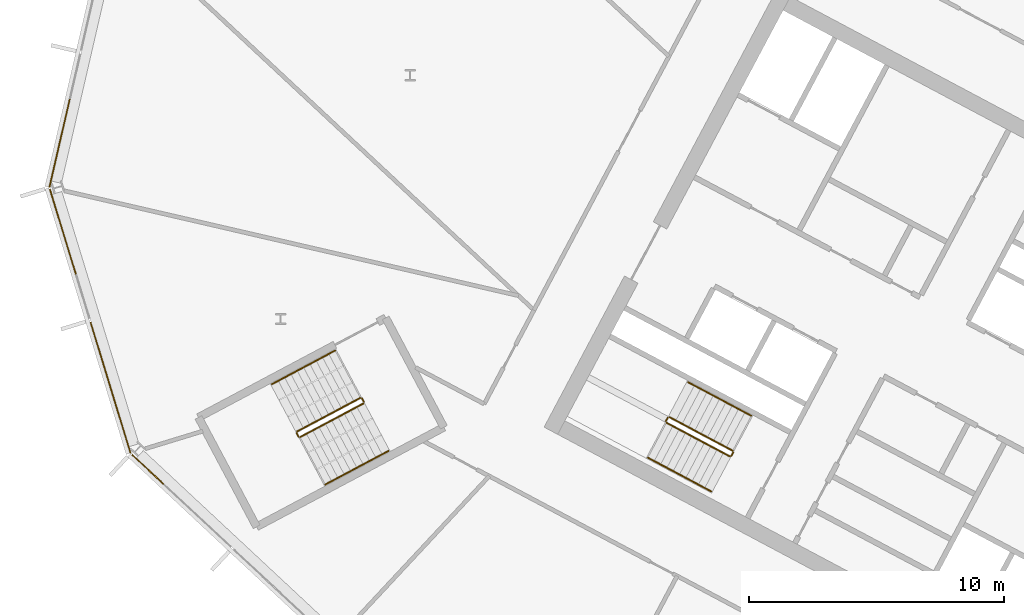
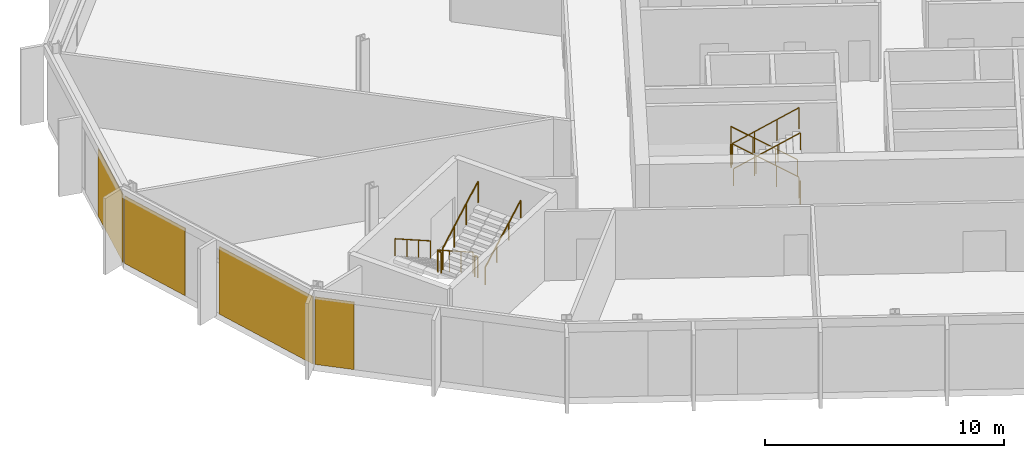
# One storey, part 20 of 26: 12 railings, 4 coverings, 3 elements without a shape of their own.
"""IFC4 building model written with IfcOpenShell, lengths in metres."""

from ifc_helpers import new_model, si_unit, direction, frame, origin, origin_2d, place, context, subcontext, project, spatial, polyline, rectangle, outline, extrude, material, layer, layer_set, type_object, element, aggregate, save


model = new_model("IFC4")

# Units and contexts
model_context = context("Model", 3, precision=1e-05, world=origin(), true_north=direction((0.0, 1.0)))
body_context = subcontext(model_context, "Body", "Model", "MODEL_VIEW")
ifc_project = project(units=[si_unit("LENGTHUNIT", "METRE"), si_unit("AREAUNIT", "SQUARE_METRE"), si_unit("VOLUMEUNIT", "CUBIC_METRE"), si_unit("PLANEANGLEUNIT", "RADIAN"), si_unit("MASSUNIT", "GRAM", prefix="KILO")], contexts=[model_context])

# Site, building, storey
site_placement = place(None, origin())
site = spatial("IfcSite", under=ifc_project, at=site_placement, CompositionType="ELEMENT")
building_placement = place(site_placement, origin())
building = spatial("IfcBuilding", under=site, at=building_placement, Name="Cormorant Relay Tower", CompositionType="ELEMENT")
storey_placement = place(building_placement, frame((0.0, 0.0, 236.39990234375)))
storey = spatial("IfcBuildingStorey", under=building, at=storey_placement, Name="L52", CompositionType="ELEMENT", Elevation=236.39990234375)

# Curtain wall, covering
ifc_material_1 = material(Name="Aluminium 6063-T6 anodised bronze", Category="aluminium")
ifc_layer_1 = layer(ifc_material_1, 0.199951171875)
ifc_layer_set_1 = layer_set([ifc_layer_1], Name="CW1 unitised bronze curtain wall with vertical fins")
curtain_wall_type = type_object("IfcCurtainWallType", Name="CW1 unitised bronze curtain wall with vertical fins", PredefinedType="NOTDEFINED", material=ifc_layer_set_1)
curtain_wall_1_placement = place(storey_placement, origin())
curtain_wall_1 = element("IfcCurtainWall", 1, at=curtain_wall_1_placement, inside=storey, type_object=curtain_wall_type, Name="CW1 curtain wall 13", PredefinedType="NOTDEFINED")
ifc_material_2 = material(Name="Pale bronze anodised aluminium insulated panel", Category="aluminium")
ifc_layer_2 = layer(ifc_material_2, 0.0400390625)
ifc_layer_set_2 = layer_set([ifc_layer_2], Name="CW1 pale bronze insulated panel 40")
covering_type = type_object("IfcCoveringType", Name="CW1 pale bronze insulated panel 40", PredefinedType="CLADDING", material=ifc_layer_set_2)
covering_1_placement = place(storey_placement, frame((-60.3388671875, 22.13232421875, 0.0), z_axis=(0.0, 0.0, 1.0), x_axis=(-0.224951054344, -0.974370064785, 0.0)))
covering_1 = element("IfcCovering", 2, at=covering_1_placement, type_object=covering_type, Name="CW1 panel S02", PredefinedType="CLADDING", context=body_context, shape_type="SweptSolid", body=[
    extrude(rectangle(XDim=3.560302734375, YDim=0.0400390625, at=origin_2d()), origin(), (0.0, 0.0, 1.0), 3.449951171875),
])
aggregate(curtain_wall_1, [covering_1])

# Curtain wall, coverings
curtain_wall_2_placement = place(storey_placement, origin())
curtain_wall_2 = element("IfcCurtainWall", 3, at=curtain_wall_2_placement, inside=storey, type_object=curtain_wall_type, Name="CW1 curtain wall 14", PredefinedType="NOTDEFINED")
covering_2_placement = place(storey_placement, frame((-60.20751953125, 18.6494140625, 0.0), z_axis=(0.0, 0.0, 1.0), x_axis=(0.292371704723, -0.956304755963, 0.0)))
covering_2 = element("IfcCovering", 4, at=covering_2_placement, type_object=covering_type, Name="CW1 panel S00", PredefinedType="CLADDING", context=body_context, shape_type="SweptSolid", body=[
    extrude(rectangle(XDim=3.485107421875, YDim=0.0400390625, at=origin_2d()), origin(), (0.0, 0.0, 1.0), 3.449951171875),
])
covering_3_placement = place(storey_placement, frame((-58.344482421875, 12.55517578125, 0.0), z_axis=(0.0, 0.0, 1.0), x_axis=(0.292371704723, -0.956304755963, 0.0)))
covering_3 = element("IfcCovering", 5, at=covering_3_placement, type_object=covering_type, Name="CW1 panel S02", PredefinedType="CLADDING", context=body_context, shape_type="SweptSolid", body=[
    extrude(rectangle(XDim=5.360107421875, YDim=0.0400390625, at=origin_2d()), origin(), (0.0, 0.0, 1.0), 3.449951171875),
])
aggregate(curtain_wall_2, [covering_2, covering_3])

# Curtain wall, covering
curtain_wall_3_placement = place(storey_placement, origin())
curtain_wall_3 = element("IfcCurtainWall", 6, at=curtain_wall_3_placement, inside=storey, type_object=curtain_wall_type, Name="CW1 curtain wall 15", PredefinedType="NOTDEFINED")
covering_4_placement = place(storey_placement, frame((-56.88427734375, 9.357421875, 0.0), z_axis=(0.0, 0.0, 1.0), x_axis=(0.731353701619, -0.681998360062, 0.0)))
covering_4 = element("IfcCovering", 7, at=covering_4_placement, type_object=covering_type, Name="CW1 panel S00", PredefinedType="CLADDING", context=body_context, shape_type="SweptSolid", body=[
    extrude(rectangle(XDim=1.685302734375, YDim=0.0400390625, at=origin_2d()), origin(), (0.0, 0.0, 1.0), 3.449951171875),
])
aggregate(curtain_wall_3, [covering_4])

# Railings
ifc_material_3 = material(Name="Steel ASTM A572 Grade 50 (Fy 345 MPa)", Category="steel")
railing_type_1 = type_object("IfcRailingType", Name="Stair guard 1100", PredefinedType="GUARDRAIL", material=ifc_material_3)
railing_1_placement = place(storey_placement, frame((-33.9921875, 10.08935546875, 0.177490234375)))
element("IfcRailing", 8, at=railing_1_placement, inside=storey, type_object=railing_type_1, Name="L52 A2 stair guard 1", PredefinedType="GUARDRAIL", context=body_context, shape_type="SweptSolid", body=[
    extrude(outline(polyline([(0.022216796875, 0.00927734375), (0.00927734375, 0.022216796875), (-0.00927734375, 0.022216796875), (-0.022216796875, 0.00927734375), (-0.022216796875, -0.00927734375), (-0.00927734375, -0.022216796875), (0.00927734375, -0.022216796875), (0.022216796875, -0.00927734375), (0.022216796875, 0.00927734375)])), frame((0.0, 0.0, 1.076171875), z_axis=(-0.746001213114, 0.396649272309, 0.534931345884), x_axis=(-0.469465464807, -0.882950835185, 0.0)), (0.0, 0.0, 1.0), 3.31396484375),
    extrude(outline(polyline([(0.019287109375, 0.008056640625), (0.008056640625, 0.019287109375), (-0.008056640625, 0.019287109375), (-0.019287109375, 0.008056640625), (-0.019287109375, -0.008056640625), (-0.008056640625, -0.019287109375), (0.008056640625, -0.019287109375), (0.019287109375, -0.008056640625), (0.019287109375, 0.008056640625)])), origin(), (0.0, 0.0, 1.0), 1.052001953125),
    extrude(outline(polyline([(0.019287109375, 0.008056640625), (0.008056640625, 0.019287109375), (-0.008056640625, 0.019287109375), (-0.019287109375, 0.008056640625), (-0.019287109375, -0.008056640625), (-0.008056640625, -0.019287109375), (0.008056640625, -0.019287109375), (0.019287109375, -0.008056640625), (0.019287109375, 0.008056640625)])), frame((-0.823974609375, 0.438232421875, 0.5908203125)), (0.0, 0.0, 1.0), 1.052001953125),
    extrude(outline(polyline([(0.019287109375, 0.008056640625), (0.008056640625, 0.019287109375), (-0.008056640625, 0.019287109375), (-0.019287109375, 0.008056640625), (-0.019287109375, -0.008056640625), (-0.008056640625, -0.019287109375), (0.008056640625, -0.019287109375), (0.019287109375, -0.008056640625), (0.019287109375, 0.008056640625)])), frame((-1.648193359375, 0.876220703125, 1.181884765625)), (0.0, 0.0, 1.0), 1.052001953125),
    extrude(outline(polyline([(0.019287109375, 0.008056640625), (0.008056640625, 0.019287109375), (-0.008056640625, 0.019287109375), (-0.019287109375, 0.008056640625), (-0.019287109375, -0.008056640625), (-0.008056640625, -0.019287109375), (0.008056640625, -0.019287109375), (0.019287109375, -0.008056640625), (0.019287109375, 0.008056640625)])), frame((-2.47216796875, 1.314453125, 1.772705078125)), (0.0, 0.0, 1.0), 1.052001953125),
])
railing_2_placement = place(storey_placement, frame((-36.531982421875, 11.38330078125, 1.9501953125)))
element("IfcRailing", 9, at=railing_2_placement, inside=storey, type_object=railing_type_1, Name="L52 A2 stair guard 2", PredefinedType="GUARDRAIL", context=body_context, shape_type="SweptSolid", body=[
    extrude(outline(polyline([(0.022216796875, 0.00927734375), (0.00927734375, 0.022216796875), (-0.00927734375, 0.022216796875), (-0.022216796875, 0.00927734375), (-0.022216796875, -0.00927734375), (-0.00927734375, -0.022216796875), (0.00927734375, -0.022216796875), (0.022216796875, -0.00927734375), (0.022216796875, 0.00927734375)])), frame((0.0, 0.0, 1.076171875), z_axis=(-0.469828648786, -0.882757634224, 0.0), x_axis=(0.882757634224, -0.469828648786, 0.0)), (0.0, 0.0, 1.0), 0.150146484375),
    extrude(outline(polyline([(0.019287109375, 0.008056640625), (0.008056640625, 0.019287109375), (-0.008056640625, 0.019287109375), (-0.019287109375, 0.008056640625), (-0.019287109375, -0.008056640625), (-0.008056640625, -0.019287109375), (0.008056640625, -0.019287109375), (0.019287109375, -0.008056640625), (0.019287109375, 0.008056640625)])), origin(), (0.0, 0.0, 1.0), 1.052001953125),
    extrude(outline(polyline([(0.019287109375, 0.008056640625), (0.008056640625, 0.019287109375), (-0.008056640625, 0.019287109375), (-0.019287109375, 0.008056640625), (-0.019287109375, -0.008056640625), (-0.008056640625, -0.019287109375), (0.008056640625, -0.019287109375), (0.019287109375, -0.008056640625), (0.019287109375, 0.008056640625)])), frame((-0.070556640625, -0.132568359375, 0.0)), (0.0, 0.0, 1.0), 1.052001953125),
])
railing_3_placement = place(storey_placement, frame((-36.581787109375, 11.18310546875, 2.12744140625)))
element("IfcRailing", 10, at=railing_3_placement, inside=storey, type_object=railing_type_1, Name="L52 A2 stair guard 3", PredefinedType="GUARDRAIL", context=body_context, shape_type="SweptSolid", body=[
    extrude(outline(polyline([(0.022216796875, 0.00927734375), (0.00927734375, 0.022216796875), (-0.00927734375, 0.022216796875), (-0.022216796875, 0.00927734375), (-0.022216796875, -0.00927734375), (-0.00927734375, -0.022216796875), (0.00927734375, -0.022216796875), (0.022216796875, -0.00927734375), (0.022216796875, 0.00927734375)])), frame((0.0, 0.0, 1.076171875), z_axis=(0.746001213114, -0.396649272309, 0.534931345884), x_axis=(0.469465464807, 0.882950835185, 0.0)), (0.0, 0.0, 1.0), 3.31396484375),
    extrude(outline(polyline([(0.019287109375, 0.008056640625), (0.008056640625, 0.019287109375), (-0.008056640625, 0.019287109375), (-0.019287109375, 0.008056640625), (-0.019287109375, -0.008056640625), (-0.008056640625, -0.019287109375), (0.008056640625, -0.019287109375), (0.019287109375, -0.008056640625), (0.019287109375, 0.008056640625)])), origin(), (0.0, 0.0, 1.0), 1.052001953125),
    extrude(outline(polyline([(0.019287109375, 0.008056640625), (0.008056640625, 0.019287109375), (-0.008056640625, 0.019287109375), (-0.019287109375, 0.008056640625), (-0.019287109375, -0.008056640625), (-0.008056640625, -0.019287109375), (0.008056640625, -0.019287109375), (0.019287109375, -0.008056640625), (0.019287109375, 0.008056640625)])), frame((0.823974609375, -0.438232421875, 0.5908203125)), (0.0, 0.0, 1.0), 1.052001953125),
    extrude(outline(polyline([(0.019287109375, 0.008056640625), (0.008056640625, 0.019287109375), (-0.008056640625, 0.019287109375), (-0.019287109375, 0.008056640625), (-0.019287109375, -0.008056640625), (-0.008056640625, -0.019287109375), (0.008056640625, -0.019287109375), (0.019287109375, -0.008056640625), (0.019287109375, 0.008056640625)])), frame((1.648193359375, -0.876220703125, 1.181884765625)), (0.0, 0.0, 1.0), 1.052001953125),
    extrude(outline(polyline([(0.019287109375, 0.008056640625), (0.008056640625, 0.019287109375), (-0.008056640625, 0.019287109375), (-0.019287109375, 0.008056640625), (-0.019287109375, -0.008056640625), (-0.008056640625, -0.019287109375), (0.008056640625, -0.019287109375), (0.019287109375, -0.008056640625), (0.019287109375, 0.008056640625)])), frame((2.47216796875, -1.314453125, 1.772705078125)), (0.0, 0.0, 1.0), 1.052001953125),
])
railing_4_placement = place(storey_placement, frame((-33.971435546875, 10.021728515625, 0.0)))
element("IfcRailing", 11, at=railing_4_placement, inside=storey, type_object=railing_type_1, Name="L52 A2 stair guard 4", PredefinedType="GUARDRAIL", context=body_context, shape_type="SweptSolid", body=[
    extrude(outline(polyline([(0.022216796875, 0.00927734375), (0.00927734375, 0.022216796875), (-0.00927734375, 0.022216796875), (-0.022216796875, 0.00927734375), (-0.022216796875, -0.00927734375), (-0.00927734375, -0.022216796875), (0.00927734375, -0.022216796875), (0.022216796875, -0.00927734375), (0.022216796875, 0.00927734375)])), frame((0.0, 0.0, 1.076171875), z_axis=(-0.470503732759, -0.882398003998, 0.0), x_axis=(0.882398003998, -0.470503732759, 0.0)), (0.0, 0.0, 1.0), 0.14990234375),
    extrude(outline(polyline([(0.019287109375, 0.008056640625), (0.008056640625, 0.019287109375), (-0.008056640625, 0.019287109375), (-0.019287109375, 0.008056640625), (-0.019287109375, -0.008056640625), (-0.008056640625, -0.019287109375), (0.008056640625, -0.019287109375), (0.019287109375, -0.008056640625), (0.019287109375, 0.008056640625)])), origin(), (0.0, 0.0, 1.0), 1.052001953125),
    extrude(outline(polyline([(0.019287109375, 0.008056640625), (0.008056640625, 0.019287109375), (-0.008056640625, 0.019287109375), (-0.019287109375, 0.008056640625), (-0.019287109375, -0.008056640625), (-0.008056640625, -0.019287109375), (0.008056640625, -0.019287109375), (0.019287109375, -0.008056640625), (0.019287109375, 0.008056640625)])), frame((-0.070556640625, -0.13232421875, 0.0)), (0.0, 0.0, 1.0), 1.052001953125),
])
railing_5_placement = place(storey_placement, frame((-48.5693359375, 12.155517578125, 0.177490234375)))
element("IfcRailing", 12, at=railing_5_placement, inside=storey, type_object=railing_type_1, Name="L52 RP1 stair guard 1", PredefinedType="GUARDRAIL", context=body_context, shape_type="SweptSolid", body=[
    extrude(outline(polyline([(0.022216796875, 0.00927734375), (0.00927734375, 0.022216796875), (-0.00927734375, 0.022216796875), (-0.022216796875, 0.00927734375), (-0.022216796875, -0.00927734375), (-0.00927734375, -0.022216796875), (0.00927734375, -0.022216796875), (0.022216796875, -0.00927734375), (0.022216796875, 0.00927734375)])), frame((0.0, 0.0, 1.076171875), z_axis=(-0.746012083385, -0.396689549623, 0.534886317514), x_axis=(0.469497295046, -0.882933910293, 0.0)), (0.0, 0.0, 1.0), 3.314208984375),
    extrude(outline(polyline([(0.019287109375, 0.008056640625), (0.008056640625, 0.019287109375), (-0.008056640625, 0.019287109375), (-0.019287109375, 0.008056640625), (-0.019287109375, -0.008056640625), (-0.008056640625, -0.019287109375), (0.008056640625, -0.019287109375), (0.019287109375, -0.008056640625), (0.019287109375, 0.008056640625)])), origin(), (0.0, 0.0, 1.0), 1.052001953125),
    extrude(outline(polyline([(0.019287109375, 0.008056640625), (0.008056640625, 0.019287109375), (-0.008056640625, 0.019287109375), (-0.019287109375, 0.008056640625), (-0.019287109375, -0.008056640625), (-0.008056640625, -0.019287109375), (0.008056640625, -0.019287109375), (0.019287109375, -0.008056640625), (0.019287109375, 0.008056640625)])), frame((-0.82421875, -0.438232421875, 0.5908203125)), (0.0, 0.0, 1.0), 1.052001953125),
    extrude(outline(polyline([(0.019287109375, 0.008056640625), (0.008056640625, 0.019287109375), (-0.008056640625, 0.019287109375), (-0.019287109375, 0.008056640625), (-0.019287109375, -0.008056640625), (-0.008056640625, -0.019287109375), (0.008056640625, -0.019287109375), (0.019287109375, -0.008056640625), (0.019287109375, 0.008056640625)])), frame((-1.648193359375, -0.87646484375, 1.181884765625)), (0.0, 0.0, 1.0), 1.052001953125),
    extrude(outline(polyline([(0.019287109375, 0.008056640625), (0.008056640625, 0.019287109375), (-0.008056640625, 0.019287109375), (-0.019287109375, 0.008056640625), (-0.019287109375, -0.008056640625), (-0.008056640625, -0.019287109375), (0.008056640625, -0.019287109375), (0.019287109375, -0.008056640625), (0.019287109375, 0.008056640625)])), frame((-2.472412109375, -1.314697265625, 1.772705078125)), (0.0, 0.0, 1.0), 1.052001953125),
])
railing_6_placement = place(storey_placement, frame((-51.062255859375, 10.773193359375, 1.9501953125)))
element("IfcRailing", 13, at=railing_6_placement, inside=storey, type_object=railing_type_1, Name="L52 RP1 stair guard 2", PredefinedType="GUARDRAIL", context=body_context, shape_type="SweptSolid", body=[
    extrude(outline(polyline([(0.022216796875, 0.00927734375), (0.00927734375, 0.022216796875), (-0.00927734375, 0.022216796875), (-0.022216796875, 0.00927734375), (-0.022216796875, -0.00927734375), (-0.00927734375, -0.022216796875), (0.00927734375, -0.022216796875), (0.022216796875, -0.00927734375), (0.022216796875, 0.00927734375)])), frame((0.0, 0.0, 1.076171875), z_axis=(0.469234640946, -0.883073525669, 0.0), x_axis=(0.883073525669, 0.469234640946, 0.0)), (0.0, 0.0, 1.0), 0.14990234375),
    extrude(outline(polyline([(0.019287109375, 0.008056640625), (0.008056640625, 0.019287109375), (-0.008056640625, 0.019287109375), (-0.019287109375, 0.008056640625), (-0.019287109375, -0.008056640625), (-0.008056640625, -0.019287109375), (0.008056640625, -0.019287109375), (0.019287109375, -0.008056640625), (0.019287109375, 0.008056640625)])), origin(), (0.0, 0.0, 1.0), 1.052001953125),
    extrude(outline(polyline([(0.019287109375, 0.008056640625), (0.008056640625, 0.019287109375), (-0.008056640625, 0.019287109375), (-0.019287109375, 0.008056640625), (-0.019287109375, -0.008056640625), (-0.008056640625, -0.019287109375), (0.008056640625, -0.019287109375), (0.019287109375, -0.008056640625), (0.019287109375, 0.008056640625)])), frame((0.0703125, -0.13232421875, 0.0)), (0.0, 0.0, 1.0), 1.052001953125),
])
railing_7_placement = place(storey_placement, frame((-50.92431640625, 10.6201171875, 2.12744140625)))
element("IfcRailing", 14, at=railing_7_placement, inside=storey, type_object=railing_type_1, Name="L52 RP1 stair guard 3", PredefinedType="GUARDRAIL", context=body_context, shape_type="SweptSolid", body=[
    extrude(outline(polyline([(0.022216796875, 0.00927734375), (0.00927734375, 0.022216796875), (-0.00927734375, 0.022216796875), (-0.022216796875, 0.00927734375), (-0.022216796875, -0.00927734375), (-0.00927734375, -0.022216796875), (0.00927734375, -0.022216796875), (0.022216796875, -0.00927734375), (0.022216796875, 0.00927734375)])), frame((0.0, 0.0, 1.076171875), z_axis=(0.746033882577, 0.396627473466, 0.534901947407), x_axis=(-0.469429322983, 0.882970050864, 0.0)), (0.0, 0.0, 1.0), 3.31396484375),
    extrude(outline(polyline([(0.019287109375, 0.008056640625), (0.008056640625, 0.019287109375), (-0.008056640625, 0.019287109375), (-0.019287109375, 0.008056640625), (-0.019287109375, -0.008056640625), (-0.008056640625, -0.019287109375), (0.008056640625, -0.019287109375), (0.019287109375, -0.008056640625), (0.019287109375, 0.008056640625)])), origin(), (0.0, 0.0, 1.0), 1.052001953125),
    extrude(outline(polyline([(0.019287109375, 0.008056640625), (0.008056640625, 0.019287109375), (-0.008056640625, 0.019287109375), (-0.019287109375, 0.008056640625), (-0.019287109375, -0.008056640625), (-0.008056640625, -0.019287109375), (0.008056640625, -0.019287109375), (0.019287109375, -0.008056640625), (0.019287109375, 0.008056640625)])), frame((0.82421875, 0.438232421875, 0.5908203125)), (0.0, 0.0, 1.0), 1.052001953125),
    extrude(outline(polyline([(0.019287109375, 0.008056640625), (0.008056640625, 0.019287109375), (-0.008056640625, 0.019287109375), (-0.019287109375, 0.008056640625), (-0.019287109375, -0.008056640625), (-0.008056640625, -0.019287109375), (0.008056640625, -0.019287109375), (0.019287109375, -0.008056640625), (0.019287109375, 0.008056640625)])), frame((1.648193359375, 0.876220703125, 1.181884765625)), (0.0, 0.0, 1.0), 1.052001953125),
    extrude(outline(polyline([(0.019287109375, 0.008056640625), (0.008056640625, 0.019287109375), (-0.008056640625, 0.019287109375), (-0.019287109375, 0.008056640625), (-0.019287109375, -0.008056640625), (-0.008056640625, -0.019287109375), (0.008056640625, -0.019287109375), (0.019287109375, -0.008056640625), (0.019287109375, 0.008056640625)])), frame((2.472412109375, 1.314453125, 1.772705078125)), (0.0, 0.0, 1.0), 1.052001953125),
])
railing_8_placement = place(storey_placement, frame((-48.501708984375, 12.134765625, 0.0)))
element("IfcRailing", 15, at=railing_8_placement, inside=storey, type_object=railing_type_1, Name="L52 RP1 stair guard 4", PredefinedType="GUARDRAIL", context=body_context, shape_type="SweptSolid", body=[
    extrude(outline(polyline([(0.022216796875, 0.00927734375), (0.00927734375, 0.022216796875), (-0.00927734375, 0.022216796875), (-0.022216796875, 0.00927734375), (-0.022216796875, -0.00927734375), (-0.00927734375, -0.022216796875), (0.00927734375, -0.022216796875), (0.022216796875, -0.00927734375), (0.022216796875, 0.00927734375)])), frame((0.0, 0.0, 1.076171875), z_axis=(0.46856034887, -0.8834314911, 0.0), x_axis=(0.8834314911, 0.46856034887, 0.0)), (0.0, 0.0, 1.0), 0.150146484375),
    extrude(outline(polyline([(0.019287109375, 0.008056640625), (0.008056640625, 0.019287109375), (-0.008056640625, 0.019287109375), (-0.019287109375, 0.008056640625), (-0.019287109375, -0.008056640625), (-0.008056640625, -0.019287109375), (0.008056640625, -0.019287109375), (0.019287109375, -0.008056640625), (0.019287109375, 0.008056640625)])), origin(), (0.0, 0.0, 1.0), 1.052001953125),
    extrude(outline(polyline([(0.019287109375, 0.008056640625), (0.008056640625, 0.019287109375), (-0.008056640625, 0.019287109375), (-0.019287109375, 0.008056640625), (-0.019287109375, -0.008056640625), (-0.008056640625, -0.019287109375), (0.008056640625, -0.019287109375), (0.019287109375, -0.008056640625), (0.019287109375, 0.008056640625)])), frame((0.0703125, -0.132568359375, 0.0)), (0.0, 0.0, 1.0), 1.052001953125),
])
ifc_material_4 = material(Name="Steel ASTM A572 Grade 50 (Fy 345 MPa)", Category="steel")
railing_type_2 = type_object("IfcRailingType", Name="Stair handrail 900", PredefinedType="HANDRAIL", material=ifc_material_4)
railing_9_placement = place(storey_placement, frame((-33.264404296875, 11.4580078125, 0.177490234375)))
element("IfcRailing", 16, at=railing_9_placement, inside=storey, type_object=railing_type_2, Name="L52 A2 stair handrail 1", PredefinedType="HANDRAIL", context=body_context, shape_type="SweptSolid", body=[
    extrude(outline(polyline([(0.022216796875, 0.00927734375), (0.00927734375, 0.022216796875), (-0.00927734375, 0.022216796875), (-0.022216796875, 0.00927734375), (-0.022216796875, -0.00927734375), (-0.00927734375, -0.022216796875), (0.00927734375, -0.022216796875), (0.022216796875, -0.00927734375), (0.022216796875, 0.00927734375)])), frame((0.0, 0.0, 0.8759765625), z_axis=(-0.746033882577, 0.396627473466, 0.534901947407), x_axis=(-0.469429322983, -0.882970050864, 0.0)), (0.0, 0.0, 1.0), 3.31396484375),
    extrude(outline(polyline([(0.019287109375, 0.008056640625), (0.008056640625, 0.019287109375), (-0.008056640625, 0.019287109375), (-0.019287109375, 0.008056640625), (-0.019287109375, -0.008056640625), (-0.008056640625, -0.019287109375), (0.008056640625, -0.019287109375), (0.019287109375, -0.008056640625), (0.019287109375, 0.008056640625)])), origin(), (0.0, 0.0, 1.0), 0.851806640625),
    extrude(outline(polyline([(0.019287109375, 0.008056640625), (0.008056640625, 0.019287109375), (-0.008056640625, 0.019287109375), (-0.019287109375, 0.008056640625), (-0.019287109375, -0.008056640625), (-0.008056640625, -0.019287109375), (0.008056640625, -0.019287109375), (0.019287109375, -0.008056640625), (0.019287109375, 0.008056640625)])), frame((-0.82421875, 0.438232421875, 0.5908203125)), (0.0, 0.0, 1.0), 0.851806640625),
    extrude(outline(polyline([(0.019287109375, 0.008056640625), (0.008056640625, 0.019287109375), (-0.008056640625, 0.019287109375), (-0.019287109375, 0.008056640625), (-0.019287109375, -0.008056640625), (-0.008056640625, -0.019287109375), (0.008056640625, -0.019287109375), (0.019287109375, -0.008056640625), (0.019287109375, 0.008056640625)])), frame((-1.648193359375, 0.876220703125, 1.181884765625)), (0.0, 0.0, 1.0), 0.851806640625),
    extrude(outline(polyline([(0.019287109375, 0.008056640625), (0.008056640625, 0.019287109375), (-0.008056640625, 0.019287109375), (-0.019287109375, 0.008056640625), (-0.019287109375, -0.008056640625), (-0.008056640625, -0.019287109375), (0.008056640625, -0.019287109375), (0.019287109375, -0.008056640625), (0.019287109375, 0.008056640625)])), frame((-2.472412109375, 1.314453125, 1.772705078125)), (0.0, 0.0, 1.0), 0.851806640625),
])
railing_10_placement = place(storey_placement, frame((-37.3095703125, 9.814453125, 2.12744140625)))
element("IfcRailing", 17, at=railing_10_placement, inside=storey, type_object=railing_type_2, Name="L52 A2 stair handrail 2", PredefinedType="HANDRAIL", context=body_context, shape_type="SweptSolid", body=[
    extrude(outline(polyline([(0.022216796875, 0.00927734375), (0.00927734375, 0.022216796875), (-0.00927734375, 0.022216796875), (-0.022216796875, 0.00927734375), (-0.022216796875, -0.00927734375), (-0.00927734375, -0.022216796875), (0.00927734375, -0.022216796875), (0.022216796875, -0.00927734375), (0.022216796875, 0.00927734375)])), frame((0.0, 0.0, 0.8759765625), z_axis=(0.746033882577, -0.396627473466, 0.534901947407), x_axis=(0.469429322983, 0.882970050864, 0.0)), (0.0, 0.0, 1.0), 3.31396484375),
    extrude(outline(polyline([(0.019287109375, 0.008056640625), (0.008056640625, 0.019287109375), (-0.008056640625, 0.019287109375), (-0.019287109375, 0.008056640625), (-0.019287109375, -0.008056640625), (-0.008056640625, -0.019287109375), (0.008056640625, -0.019287109375), (0.019287109375, -0.008056640625), (0.019287109375, 0.008056640625)])), origin(), (0.0, 0.0, 1.0), 0.851806640625),
    extrude(outline(polyline([(0.019287109375, 0.008056640625), (0.008056640625, 0.019287109375), (-0.008056640625, 0.019287109375), (-0.019287109375, 0.008056640625), (-0.019287109375, -0.008056640625), (-0.008056640625, -0.019287109375), (0.008056640625, -0.019287109375), (0.019287109375, -0.008056640625), (0.019287109375, 0.008056640625)])), frame((0.82421875, -0.438232421875, 0.5908203125)), (0.0, 0.0, 1.0), 0.851806640625),
    extrude(outline(polyline([(0.019287109375, 0.008056640625), (0.008056640625, 0.019287109375), (-0.008056640625, 0.019287109375), (-0.019287109375, 0.008056640625), (-0.019287109375, -0.008056640625), (-0.008056640625, -0.019287109375), (0.008056640625, -0.019287109375), (0.019287109375, -0.008056640625), (0.019287109375, 0.008056640625)])), frame((1.648193359375, -0.876220703125, 1.181884765625)), (0.0, 0.0, 1.0), 0.851806640625),
    extrude(outline(polyline([(0.019287109375, 0.008056640625), (0.008056640625, 0.019287109375), (-0.008056640625, 0.019287109375), (-0.019287109375, 0.008056640625), (-0.019287109375, -0.008056640625), (-0.008056640625, -0.019287109375), (0.008056640625, -0.019287109375), (0.019287109375, -0.008056640625), (0.019287109375, 0.008056640625)])), frame((2.472412109375, -1.314453125, 1.772705078125)), (0.0, 0.0, 1.0), 0.851806640625),
])
railing_11_placement = place(storey_placement, frame((-49.55517578125, 14.009521484375, 0.177490234375)))
element("IfcRailing", 18, at=railing_11_placement, inside=storey, type_object=railing_type_2, Name="L52 RP1 stair handrail 1", PredefinedType="HANDRAIL", context=body_context, shape_type="SweptSolid", body=[
    extrude(outline(polyline([(0.022216796875, 0.00927734375), (0.00927734375, 0.022216796875), (-0.00927734375, 0.022216796875), (-0.022216796875, 0.00927734375), (-0.022216796875, -0.00927734375), (-0.00927734375, -0.022216796875), (0.00927734375, -0.022216796875), (0.022216796875, -0.00927734375), (0.022216796875, 0.00927734375)])), frame((0.0, 0.0, 0.8759765625), z_axis=(-0.746033882577, -0.396627473466, 0.534901947407), x_axis=(0.469429322983, -0.882970050864, 0.0)), (0.0, 0.0, 1.0), 3.31396484375),
    extrude(outline(polyline([(0.019287109375, 0.008056640625), (0.008056640625, 0.019287109375), (-0.008056640625, 0.019287109375), (-0.019287109375, 0.008056640625), (-0.019287109375, -0.008056640625), (-0.008056640625, -0.019287109375), (0.008056640625, -0.019287109375), (0.019287109375, -0.008056640625), (0.019287109375, 0.008056640625)])), origin(), (0.0, 0.0, 1.0), 0.851806640625),
    extrude(outline(polyline([(0.019287109375, 0.008056640625), (0.008056640625, 0.019287109375), (-0.008056640625, 0.019287109375), (-0.019287109375, 0.008056640625), (-0.019287109375, -0.008056640625), (-0.008056640625, -0.019287109375), (0.008056640625, -0.019287109375), (0.019287109375, -0.008056640625), (0.019287109375, 0.008056640625)])), frame((-0.82421875, -0.438232421875, 0.5908203125)), (0.0, 0.0, 1.0), 0.851806640625),
    extrude(outline(polyline([(0.019287109375, 0.008056640625), (0.008056640625, 0.019287109375), (-0.008056640625, 0.019287109375), (-0.019287109375, 0.008056640625), (-0.019287109375, -0.008056640625), (-0.008056640625, -0.019287109375), (0.008056640625, -0.019287109375), (0.019287109375, -0.008056640625), (0.019287109375, 0.008056640625)])), frame((-1.648193359375, -0.876220703125, 1.181884765625)), (0.0, 0.0, 1.0), 0.851806640625),
    extrude(outline(polyline([(0.019287109375, 0.008056640625), (0.008056640625, 0.019287109375), (-0.008056640625, 0.019287109375), (-0.019287109375, 0.008056640625), (-0.019287109375, -0.008056640625), (-0.008056640625, -0.019287109375), (0.008056640625, -0.019287109375), (0.019287109375, -0.008056640625), (0.019287109375, 0.008056640625)])), frame((-2.472412109375, -1.314453125, 1.772705078125)), (0.0, 0.0, 1.0), 0.851806640625),
])
railing_12_placement = place(storey_placement, frame((-49.9384765625, 8.765869140625, 2.12744140625)))
element("IfcRailing", 19, at=railing_12_placement, inside=storey, type_object=railing_type_2, Name="L52 RP1 stair handrail 2", PredefinedType="HANDRAIL", context=body_context, shape_type="SweptSolid", body=[
    extrude(outline(polyline([(0.022216796875, 0.00927734375), (0.00927734375, 0.022216796875), (-0.00927734375, 0.022216796875), (-0.022216796875, 0.00927734375), (-0.022216796875, -0.00927734375), (-0.00927734375, -0.022216796875), (0.00927734375, -0.022216796875), (0.022216796875, -0.00927734375), (0.022216796875, 0.00927734375)])), frame((0.0, 0.0, 0.8759765625), z_axis=(0.746012083385, 0.396689549623, 0.534886317514), x_axis=(-0.469497295046, 0.882933910293, 0.0)), (0.0, 0.0, 1.0), 3.314208984375),
    extrude(outline(polyline([(0.019287109375, 0.008056640625), (0.008056640625, 0.019287109375), (-0.008056640625, 0.019287109375), (-0.019287109375, 0.008056640625), (-0.019287109375, -0.008056640625), (-0.008056640625, -0.019287109375), (0.008056640625, -0.019287109375), (0.019287109375, -0.008056640625), (0.019287109375, 0.008056640625)])), origin(), (0.0, 0.0, 1.0), 0.851806640625),
    extrude(outline(polyline([(0.019287109375, 0.008056640625), (0.008056640625, 0.019287109375), (-0.008056640625, 0.019287109375), (-0.019287109375, 0.008056640625), (-0.019287109375, -0.008056640625), (-0.008056640625, -0.019287109375), (0.008056640625, -0.019287109375), (0.019287109375, -0.008056640625), (0.019287109375, 0.008056640625)])), frame((0.82421875, 0.438232421875, 0.5908203125)), (0.0, 0.0, 1.0), 0.851806640625),
    extrude(outline(polyline([(0.019287109375, 0.008056640625), (0.008056640625, 0.019287109375), (-0.008056640625, 0.019287109375), (-0.019287109375, 0.008056640625), (-0.019287109375, -0.008056640625), (-0.008056640625, -0.019287109375), (0.008056640625, -0.019287109375), (0.019287109375, -0.008056640625), (0.019287109375, 0.008056640625)])), frame((1.648193359375, 0.87646484375, 1.181884765625)), (0.0, 0.0, 1.0), 0.851806640625),
    extrude(outline(polyline([(0.019287109375, 0.008056640625), (0.008056640625, 0.019287109375), (-0.008056640625, 0.019287109375), (-0.019287109375, 0.008056640625), (-0.019287109375, -0.008056640625), (-0.008056640625, -0.019287109375), (0.008056640625, -0.019287109375), (0.019287109375, -0.008056640625), (0.019287109375, 0.008056640625)])), frame((2.472412109375, 1.314697265625, 1.772705078125)), (0.0, 0.0, 1.0), 0.851806640625),
])

save(model, "model.ifc")
